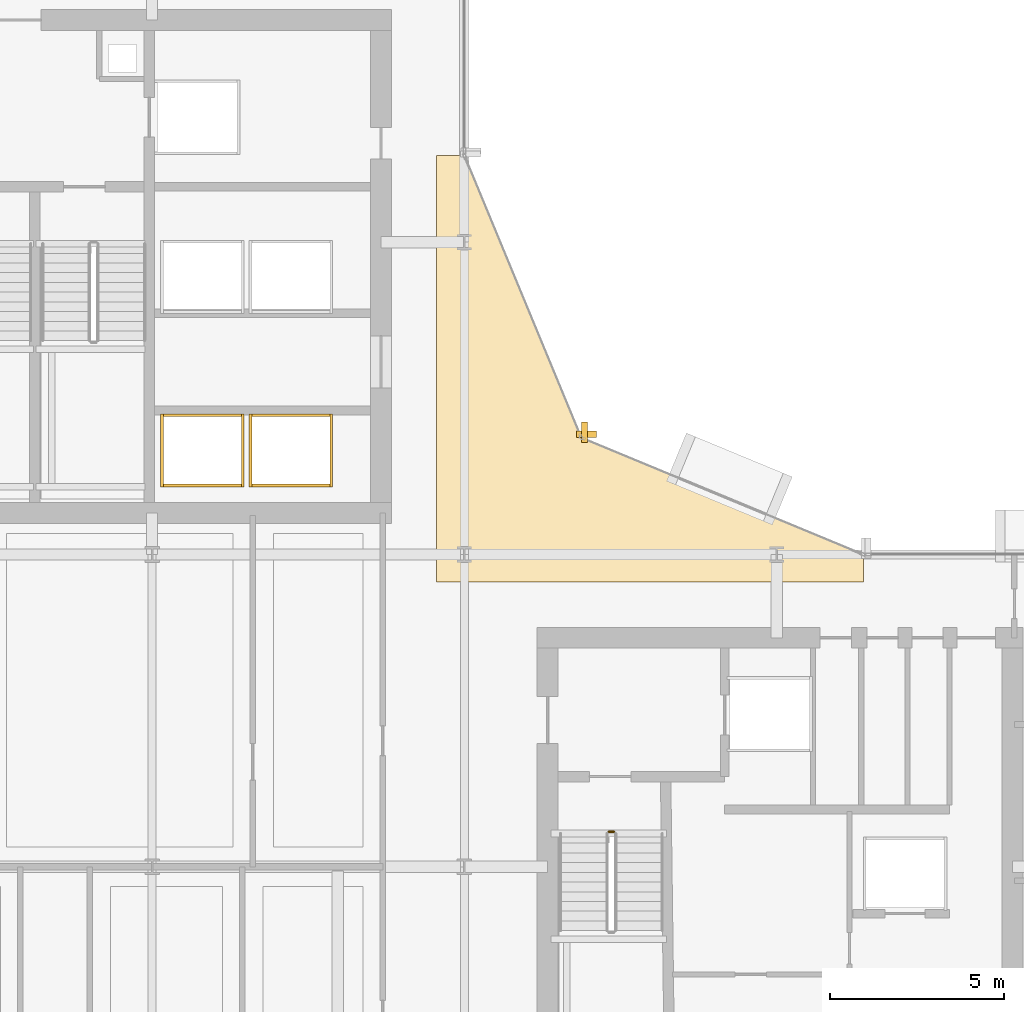
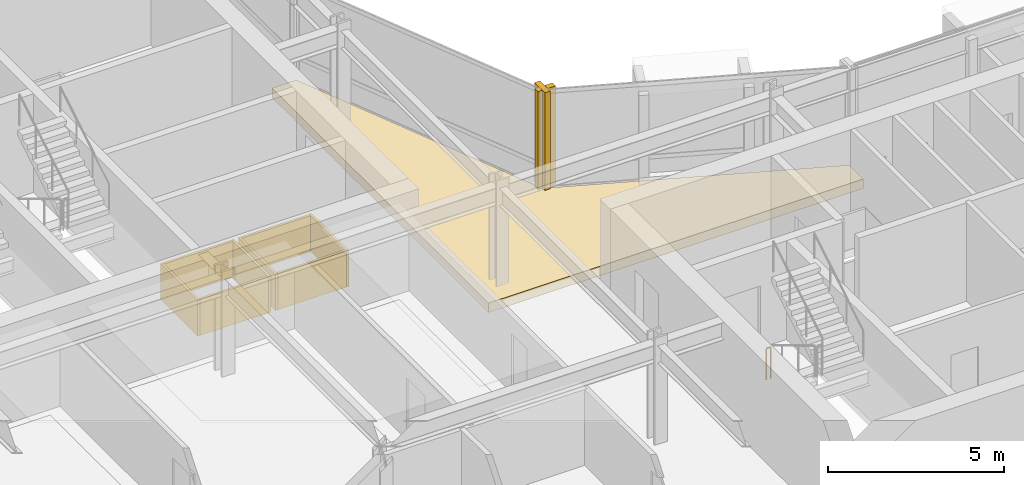
# One storey, part 27 of 29: 11 coverings, 1 railing.
"""IFC4 building model written with IfcOpenShell, lengths in metres."""

from ifc_helpers import new_model, si_unit, direction, frame, origin, origin_2d, place, context, subcontext, project, spatial, polyline, rectangle, circle, outline, extrude, material, layer, layer_set, type_object, element, save


model = new_model("IFC4")

# Units and contexts
model_context = context("Model", 3, precision=1e-05, world=origin(), true_north=direction((0.0, 1.0)))
body_context = subcontext(model_context, "Body", "Model", "MODEL_VIEW")
ifc_project = project(units=[si_unit("LENGTHUNIT", "METRE"), si_unit("AREAUNIT", "SQUARE_METRE"), si_unit("VOLUMEUNIT", "CUBIC_METRE"), si_unit("PLANEANGLEUNIT", "RADIAN"), si_unit("MASSUNIT", "GRAM", prefix="KILO")], contexts=[model_context])

# Site, building, storey
site_placement = place(None, origin())
site = spatial("IfcSite", under=ifc_project, at=site_placement, CompositionType="ELEMENT")
building_placement = place(site_placement, origin())
building = spatial("IfcBuilding", under=site, at=building_placement, Name="Solvaryn Broadcast Tower", CompositionType="ELEMENT")
storey_placement = place(building_placement, frame((0.0, 0.0, 117.39990234375)))
storey = spatial("IfcBuildingStorey", under=building, at=storey_placement, Name="L28", CompositionType="ELEMENT", Elevation=117.39990234375)

# Coverings
ifc_material_1 = material(Name="Fire-Rated Gypsum Shaftwall Liner", Category="concrete")
ifc_layer_1 = layer(ifc_material_1, 0.080078125)
ifc_layer_set_1 = layer_set([ifc_layer_1], Name="CV-SHAFT-LINER")
covering_type_1 = type_object("IfcCoveringType", Name="CV-SHAFT-LINER", PredefinedType="CLADDING", material=ifc_layer_set_1)
for number, where, z_axis, x_axis, name in (
    (1, (19.449951171875, 31.014892578125, 0.0), (0.0, 0.0, 1.0), (1.0, 0.0, 0.0), "L28 PH1 Hoistway Shaft Liner North"),
    (2, (19.449951171875, 28.985107421875, 0.0), (0.0, 0.0, 1.0), (1.0, 0.0, 0.0), "L28 PH1 Hoistway Shaft Liner South"),
):
    element("IfcCovering", number, at=place(storey_placement, frame(where, z_axis=z_axis, x_axis=x_axis)), inside=storey, type_object=covering_type_1, Name=name, PredefinedType="CLADDING", context=body_context, shape_type="SweptSolid", body=[
        extrude(rectangle(XDim=2.409912109375, YDim=0.080078125, at=origin_2d()), origin(), (0.0, 0.0, 1.0), 1.25),
    ])
for number, where, z_axis, x_axis, name in (
    (3, (20.614990234375, 30.0, 0.0), (0.0, 0.0, 1.0), (1.0, 0.0, 0.0), "L28 PH1 Hoistway Shaft Liner East"),
    (4, (18.284912109375, 30.0, 0.0), (0.0, 0.0, 1.0), (1.0, 0.0, 0.0), "L28 PH1 Hoistway Shaft Liner West"),
):
    element("IfcCovering", number, at=place(storey_placement, frame(where, z_axis=z_axis, x_axis=x_axis)), inside=storey, type_object=covering_type_1, Name=name, PredefinedType="CLADDING", context=body_context, shape_type="SweptSolid", body=[
        extrude(rectangle(XDim=0.080078125, YDim=2.110107421875, at=origin_2d()), origin(), (0.0, 0.0, 1.0), 1.25),
    ])
for number, where, z_axis, x_axis, name in (
    (5, (22.0, 31.014892578125, 0.0), (0.0, 0.0, 1.0), (1.0, 0.0, 0.0), "L28 PH2 Hoistway Shaft Liner North"),
    (6, (22.0, 28.985107421875, 0.0), (0.0, 0.0, 1.0), (1.0, 0.0, 0.0), "L28 PH2 Hoistway Shaft Liner South"),
):
    element("IfcCovering", number, at=place(storey_placement, frame(where, z_axis=z_axis, x_axis=x_axis)), inside=storey, type_object=covering_type_1, Name=name, PredefinedType="CLADDING", context=body_context, shape_type="SweptSolid", body=[
        extrude(rectangle(XDim=2.409912109375, YDim=0.080078125, at=origin_2d()), origin(), (0.0, 0.0, 1.0), 1.25),
    ])
for number, where, z_axis, x_axis, name in (
    (7, (23.1650390625, 30.0, 0.0), (0.0, 0.0, 1.0), (1.0, 0.0, 0.0), "L28 PH2 Hoistway Shaft Liner East"),
    (8, (20.8349609375, 30.0, 0.0), (0.0, 0.0, 1.0), (1.0, 0.0, 0.0), "L28 PH2 Hoistway Shaft Liner West"),
):
    element("IfcCovering", number, at=place(storey_placement, frame(where, z_axis=z_axis, x_axis=x_axis)), inside=storey, type_object=covering_type_1, Name=name, PredefinedType="CLADDING", context=body_context, shape_type="SweptSolid", body=[
        extrude(rectangle(XDim=0.080078125, YDim=2.110107421875, at=origin_2d()), origin(), (0.0, 0.0, 1.0), 1.25),
    ])
ifc_material_2 = material(Name="Extruded Architectural Terracotta Fin", Category="masonry")
ifc_layer_2 = layer(ifc_material_2, 0.179931640625)
ifc_layer_set_2 = layer_set([ifc_layer_2], Name="CV-TC-FIN")
covering_type_2 = type_object("IfcCoveringType", Name="CV-TC-FIN", PredefinedType="USERDEFINED", material=ifc_layer_set_2)
covering_1_placement = place(storey_placement, frame((30.464599609375, 30.52294921875, 0.000244140625), z_axis=(0.0, 0.0, 1.0), x_axis=(1.0, 0.0, 0.0)))
element("IfcCovering", 9, at=covering_1_placement, inside=storey, type_object=covering_type_2, Name="L28 Terracotta Vertical Fin FIN-L28-CN1-M01", ObjectType="FIN", PredefinedType="USERDEFINED", context=body_context, shape_type="SweptSolid", body=[
    extrude(rectangle(XDim=0.179931640625, YDim=0.580078125, at=origin_2d()), origin(), (0.0, 0.0, 1.0), 3.419921875),
])
covering_2_placement = place(storey_placement, frame((30.52294921875, 30.464599609375, 0.000244140625), z_axis=(0.0, 0.0, 1.0), x_axis=(1.0, 0.0, 0.0)))
element("IfcCovering", 10, at=covering_2_placement, inside=storey, type_object=covering_type_2, Name="L28 Terracotta Vertical Fin FIN-L28-CN2-M00", ObjectType="FIN", PredefinedType="USERDEFINED", context=body_context, shape_type="SweptSolid", body=[
    extrude(rectangle(XDim=0.580078125, YDim=0.179931640625, at=origin_2d()), origin(), (0.0, 0.0, 1.0), 3.419921875),
])
ifc_material_3 = material(Name="Sculpted Architectural Terracotta Wave Fascia", Category="masonry")
ifc_layer_3 = layer(ifc_material_3, 0.340087890625)
ifc_layer_set_3 = layer_set([ifc_layer_3], Name="CV-WAVE-TRAY")
covering_type_3 = type_object("IfcCoveringType", Name="CV-WAVE-TRAY", PredefinedType="CLADDING", material=ifc_layer_set_3)
covering_3_placement = place(storey_placement, frame((0.0, 0.0, -0.2998046875)))
element("IfcCovering", 11, at=covering_3_placement, inside=storey, type_object=covering_type_3, Name="L28 Concave Canyon Floor Apron", PredefinedType="CLADDING", context=body_context, shape_type="SweptSolid", body=[
    extrude(outline(polyline([(26.199951171875, 26.199951171875), (38.5, 26.199951171875), (38.5, 27.0), (30.367919921875, 30.367919921875), (27.0, 38.5), (26.199951171875, 38.5), (26.199951171875, 26.199951171875)])), origin(), (0.0, 0.0, 1.0), 0.329833984375),
])

# Railing
ifc_material_4 = material(Name="Painted Steel Stair Well Guard", Category="steel")
railing_type = type_object("IfcRailingType", Name="RL-STAIR-GUARD", PredefinedType="BALUSTRADE", material=ifc_material_4)
railing_placement = place(storey_placement, frame((31.159912109375, 19.010009765625, 0.0)))
element("IfcRailing", 12, at=railing_placement, inside=storey, type_object=railing_type, Name="L28 ST3 stair guard 4", PredefinedType="BALUSTRADE", context=body_context, shape_type="SweptSolid", body=[
    extrude(circle(Radius=0.02392578125, at=origin_2d()), frame((0.0, 0.0, 1.076171875), z_axis=(1.0, 0.0, 0.0), x_axis=(0.0, 1.0, 0.0)), (0.0, 0.0, 1.0), 0.150146484375),
    extrude(circle(Radius=0.02099609375, at=origin_2d()), origin(), (0.0, 0.0, 1.0), 1.052001953125),
    extrude(circle(Radius=0.02099609375, at=origin_2d()), frame((0.150146484375, 0.0, 0.0)), (0.0, 0.0, 1.0), 1.052001953125),
])

save(model, "model.ifc")
